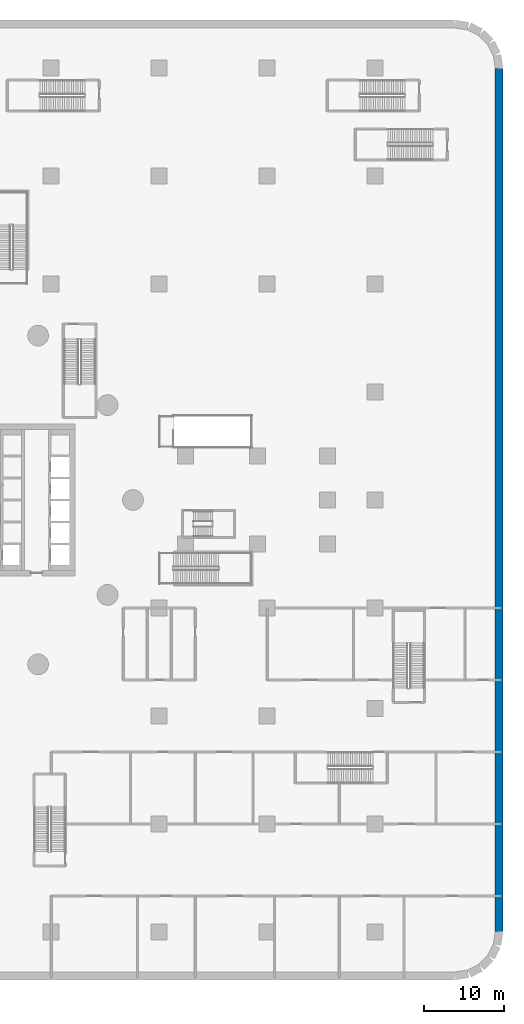
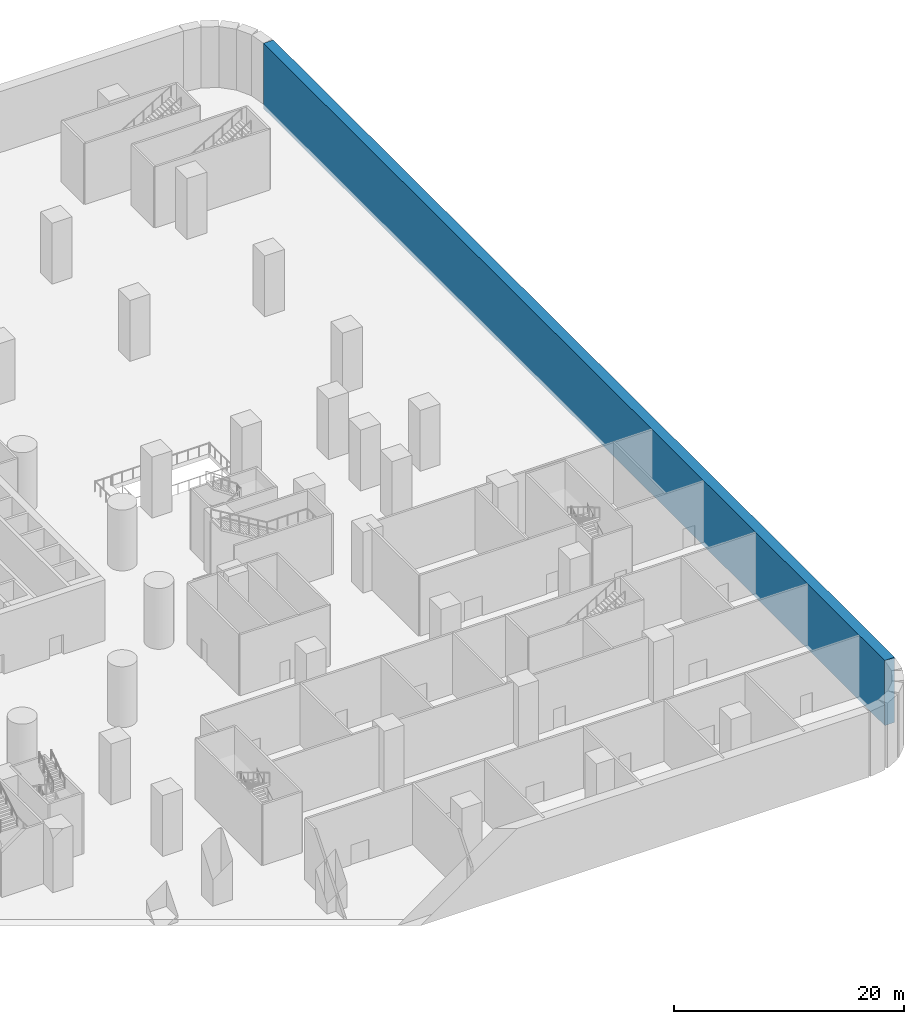
# One storey, part 14 of 37: 1 wall.
"""IFC4 building model written with IfcOpenShell, lengths in metres."""

from ifc_helpers import new_model, si_unit, direction, frame, frame_2d, origin, place, context, subcontext, project, spatial, rectangle, extrude, material, layer, layer_set, type_object, element, save


model = new_model("IFC4")

# Units and contexts
model_context = context("Model", 3, precision=1e-05, world=origin(), true_north=direction((0.0, 1.0)))
body_context = subcontext(model_context, "Body", "Model", "MODEL_VIEW")
ifc_project = project(units=[si_unit("LENGTHUNIT", "METRE"), si_unit("AREAUNIT", "SQUARE_METRE"), si_unit("VOLUMEUNIT", "CUBIC_METRE"), si_unit("PLANEANGLEUNIT", "RADIAN"), si_unit("MASSUNIT", "GRAM", prefix="KILO")], contexts=[model_context])

# Site, building, storey
site_placement = place(None, origin())
site = spatial("IfcSite", under=ifc_project, at=site_placement, CompositionType="ELEMENT")
building_placement = place(site_placement, origin())
building = spatial("IfcBuilding", under=site, at=building_placement, Name="Tamarind Cross Interchange Tower", CompositionType="ELEMENT")
storey_placement = place(building_placement, frame((0.0, 0.0, -7.0)))
storey = spatial("IfcBuildingStorey", under=building, at=storey_placement, Name="B1", CompositionType="ELEMENT", Elevation=-7.0)

# Wall
ifc_material = material(Name="Concrete C40", Category="concrete")
ifc_layer = layer(ifc_material, 1.0)
ifc_layer_set = layer_set([ifc_layer], Name="Concrete C40")
wall_type = type_object("IfcWallType", Name="Basement wall 1000 Concrete C40", PredefinedType="SOLIDWALL", material=ifc_layer_set)
wall_placement = place(storey_placement, frame((69.5, 53.931396484375, -0.449951171875), z_axis=(0.0, 0.0, 1.0), x_axis=(0.0, -1.0, 0.0)))
element("IfcWall", 1, at=wall_placement, inside=storey, type_object=wall_type, Name="Basement wall B1-19", PredefinedType="SOLIDWALL", context=body_context, shape_type="SweptSolid", body=[
    extrude(rectangle(XDim=107.86279296875, YDim=1.0, at=frame_2d((53.931396484375, 0.0))), origin(), (0.0, 0.0, 1.0), 6.89990234375),
])

save(model, "model.ifc")
